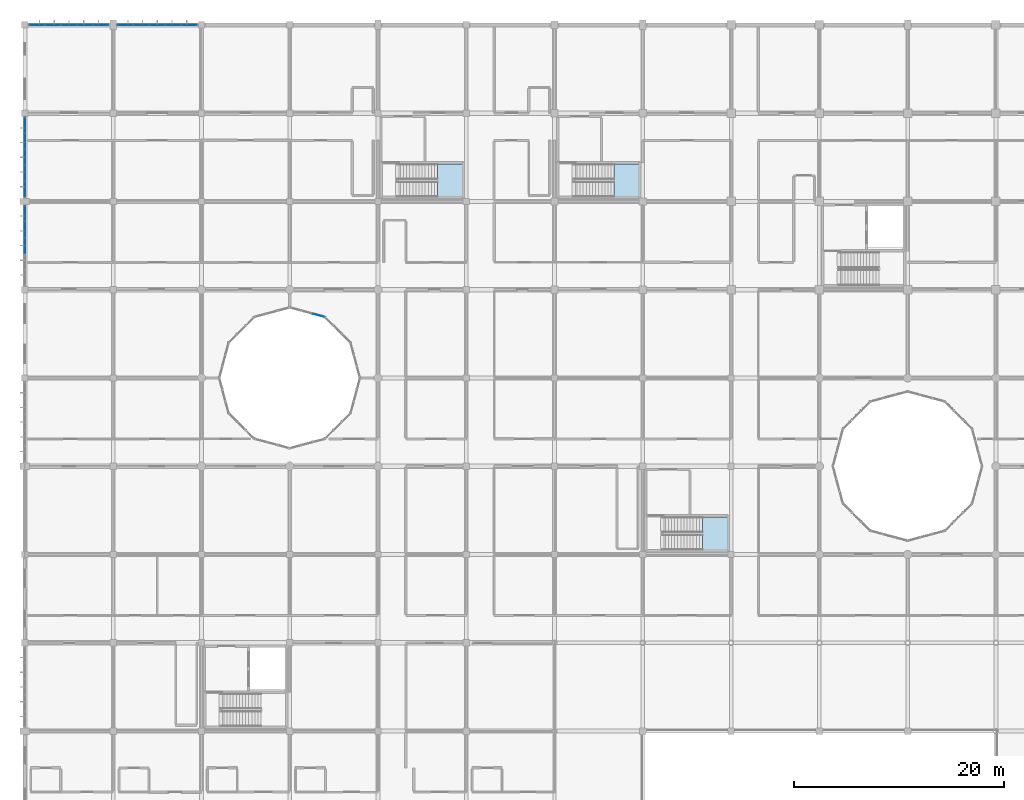
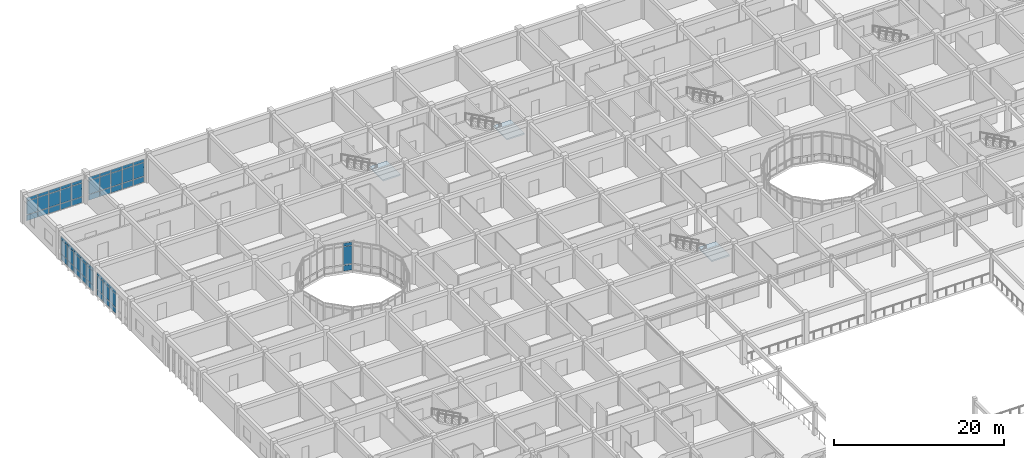
# One storey, part 80 of 144: 57 plates, 3 slabs, 8 elements without a shape of their own.
"""IFC4 building model written with IfcOpenShell, lengths in metres."""

from ifc_helpers import new_model, si_unit, direction, frame, origin, origin_2d, place, context, subcontext, project, spatial, polyline, rectangle, outline, extrude, material, layer, layer_set, type_object, element, aggregate, save


model = new_model("IFC4")

# Units and contexts
model_context = context("Model", 3, precision=1e-05, world=origin(), true_north=direction((0.0, 1.0)))
body_context = subcontext(model_context, "Body", "Model", "MODEL_VIEW")
ifc_project = project(units=[si_unit("LENGTHUNIT", "METRE"), si_unit("AREAUNIT", "SQUARE_METRE"), si_unit("VOLUMEUNIT", "CUBIC_METRE"), si_unit("PLANEANGLEUNIT", "RADIAN"), si_unit("MASSUNIT", "GRAM", prefix="KILO")], contexts=[model_context])

# Site, building, storey
site_placement = place(None, origin())
site = spatial("IfcSite", under=ifc_project, at=site_placement, CompositionType="ELEMENT")
building_placement = place(site_placement, origin())
building = spatial("IfcBuilding", under=site, at=building_placement, Name="Bramfleet General Hospital", CompositionType="ELEMENT")
storey_placement = place(building_placement, frame((0.0, 0.0, 4.800048828125)))
storey = spatial("IfcBuildingStorey", under=building, at=storey_placement, Name="L01", CompositionType="ELEMENT", Elevation=4.800048828125)

# Curtain wall, plates
ifc_material_1 = material(Name="Anodised aluminium and low-E triple glazing", Category="aluminium")
ifc_layer_1 = layer(ifc_material_1, 0.179931640625, Name="CWT-CW-09")
ifc_layer_set_1 = layer_set([ifc_layer_1], Name="Anodised aluminium and low-E triple glazing")
curtain_wall_type_1 = type_object("IfcCurtainWallType", Name="CWT-CW-09", PredefinedType="USERDEFINED", material=ifc_layer_set_1)
curtain_wall_1_placement = place(storey_placement, origin())
curtain_wall_1 = element("IfcCurtainWall", 1, at=curtain_wall_1_placement, inside=storey, type_object=curtain_wall_type_1, Name="L01 Curtain Wall 45", ObjectType="Unitised curtain wall", PredefinedType="USERDEFINED")
ifc_material_2 = material(Name="Low-E laminated safety glass", Category="glass")
ifc_layer_2 = layer(ifc_material_2, 0.028076171875, Name="CWP-GLZ-1")
ifc_layer_set_2 = layer_set([ifc_layer_2], Name="Low-E laminated safety glass")
plate_type_1 = type_object("IfcPlateType", Name="CWP-GLZ-1", PredefinedType="CURTAIN_PANEL", material=ifc_layer_set_2)
plate_1_placement = place(storey_placement, frame((1.157470703125, 117.60009765625, 0.06494140625), z_axis=(0.0, 0.0, 1.0), x_axis=(1.0, 0.0, 0.0)))
plate_1 = element("IfcPlate", 2, at=plate_1_placement, type_object=plate_type_1, Name="CW-09 panel 1.1", PredefinedType="CURTAIN_PANEL", context=body_context, shape_type="SweptSolid", body=[
    extrude(rectangle(XDim=1.425048828125, YDim=0.028076171875, at=origin_2d()), origin(), (0.0, 0.0, 1.0), 0.802490234375),
])
plate_2_placement = place(storey_placement, frame((1.157470703125, 117.60009765625, 0.9326171875), z_axis=(0.0, 0.0, 1.0), x_axis=(1.0, 0.0, 0.0)))
plate_2 = element("IfcPlate", 3, at=plate_2_placement, type_object=plate_type_1, Name="CW-09 panel 1.2", PredefinedType="CURTAIN_PANEL", context=body_context, shape_type="SweptSolid", body=[
    extrude(rectangle(XDim=1.425048828125, YDim=0.028076171875, at=origin_2d()), origin(), (0.0, 0.0, 1.0), 1.925048828125),
])
plate_3_placement = place(storey_placement, frame((1.157470703125, 117.60009765625, 2.92236328125), z_axis=(0.0, 0.0, 1.0), x_axis=(1.0, 0.0, 0.0)))
plate_3 = element("IfcPlate", 4, at=plate_3_placement, type_object=plate_type_1, Name="CW-09 panel 1.3", PredefinedType="CURTAIN_PANEL", context=body_context, shape_type="SweptSolid", body=[
    extrude(rectangle(XDim=1.425048828125, YDim=0.028076171875, at=origin_2d()), origin(), (0.0, 0.0, 1.0), 0.452392578125),
])
plate_4_placement = place(storey_placement, frame((2.669921875, 117.60009765625, 0.06494140625), z_axis=(0.0, 0.0, 1.0), x_axis=(1.0, 0.0, 0.0)))
plate_4 = element("IfcPlate", 5, at=plate_4_placement, type_object=plate_type_1, Name="CW-09 panel 2.1", PredefinedType="CURTAIN_PANEL", context=body_context, shape_type="SweptSolid", body=[
    extrude(rectangle(XDim=1.4599609375, YDim=0.028076171875, at=origin_2d()), origin(), (0.0, 0.0, 1.0), 0.802490234375),
])
plate_5_placement = place(storey_placement, frame((2.669921875, 117.60009765625, 0.9326171875), z_axis=(0.0, 0.0, 1.0), x_axis=(1.0, 0.0, 0.0)))
plate_5 = element("IfcPlate", 6, at=plate_5_placement, type_object=plate_type_1, Name="CW-09 panel 2.2", PredefinedType="CURTAIN_PANEL", context=body_context, shape_type="SweptSolid", body=[
    extrude(rectangle(XDim=1.4599609375, YDim=0.028076171875, at=origin_2d()), origin(), (0.0, 0.0, 1.0), 1.925048828125),
])
plate_6_placement = place(storey_placement, frame((2.669921875, 117.60009765625, 2.92236328125), z_axis=(0.0, 0.0, 1.0), x_axis=(1.0, 0.0, 0.0)))
plate_6 = element("IfcPlate", 7, at=plate_6_placement, type_object=plate_type_1, Name="CW-09 panel 2.3", PredefinedType="CURTAIN_PANEL", context=body_context, shape_type="SweptSolid", body=[
    extrude(rectangle(XDim=1.4599609375, YDim=0.028076171875, at=origin_2d()), origin(), (0.0, 0.0, 1.0), 0.452392578125),
])
plate_7_placement = place(storey_placement, frame((4.199951171875, 117.60009765625, 0.06494140625), z_axis=(0.0, 0.0, 1.0), x_axis=(1.0, 0.0, 0.0)))
plate_7 = element("IfcPlate", 8, at=plate_7_placement, type_object=plate_type_1, Name="CW-09 panel 3.1", PredefinedType="CURTAIN_PANEL", context=body_context, shape_type="SweptSolid", body=[
    extrude(rectangle(XDim=1.4599609375, YDim=0.028076171875, at=origin_2d()), origin(), (0.0, 0.0, 1.0), 0.802490234375),
])
plate_8_placement = place(storey_placement, frame((4.199951171875, 117.60009765625, 0.9326171875), z_axis=(0.0, 0.0, 1.0), x_axis=(1.0, 0.0, 0.0)))
plate_8 = element("IfcPlate", 9, at=plate_8_placement, type_object=plate_type_1, Name="CW-09 panel 3.2", PredefinedType="CURTAIN_PANEL", context=body_context, shape_type="SweptSolid", body=[
    extrude(rectangle(XDim=1.4599609375, YDim=0.028076171875, at=origin_2d()), origin(), (0.0, 0.0, 1.0), 1.925048828125),
])
plate_9_placement = place(storey_placement, frame((4.199951171875, 117.60009765625, 2.92236328125), z_axis=(0.0, 0.0, 1.0), x_axis=(1.0, 0.0, 0.0)))
plate_9 = element("IfcPlate", 10, at=plate_9_placement, type_object=plate_type_1, Name="CW-09 panel 3.3", PredefinedType="CURTAIN_PANEL", context=body_context, shape_type="SweptSolid", body=[
    extrude(rectangle(XDim=1.4599609375, YDim=0.028076171875, at=origin_2d()), origin(), (0.0, 0.0, 1.0), 0.452392578125),
])
plate_10_placement = place(storey_placement, frame((5.72998046875, 117.60009765625, 0.06494140625), z_axis=(0.0, 0.0, 1.0), x_axis=(1.0, 0.0, 0.0)))
plate_10 = element("IfcPlate", 11, at=plate_10_placement, type_object=plate_type_1, Name="CW-09 panel 4.1", PredefinedType="CURTAIN_PANEL", context=body_context, shape_type="SweptSolid", body=[
    extrude(rectangle(XDim=1.4599609375, YDim=0.028076171875, at=origin_2d()), origin(), (0.0, 0.0, 1.0), 0.802490234375),
])
plate_11_placement = place(storey_placement, frame((5.72998046875, 117.60009765625, 0.9326171875), z_axis=(0.0, 0.0, 1.0), x_axis=(1.0, 0.0, 0.0)))
plate_11 = element("IfcPlate", 12, at=plate_11_placement, type_object=plate_type_1, Name="CW-09 panel 4.2", PredefinedType="CURTAIN_PANEL", context=body_context, shape_type="SweptSolid", body=[
    extrude(rectangle(XDim=1.4599609375, YDim=0.028076171875, at=origin_2d()), origin(), (0.0, 0.0, 1.0), 1.925048828125),
])
plate_12_placement = place(storey_placement, frame((5.72998046875, 117.60009765625, 2.92236328125), z_axis=(0.0, 0.0, 1.0), x_axis=(1.0, 0.0, 0.0)))
plate_12 = element("IfcPlate", 13, at=plate_12_placement, type_object=plate_type_1, Name="CW-09 panel 4.3", PredefinedType="CURTAIN_PANEL", context=body_context, shape_type="SweptSolid", body=[
    extrude(rectangle(XDim=1.4599609375, YDim=0.028076171875, at=origin_2d()), origin(), (0.0, 0.0, 1.0), 0.452392578125),
])
plate_13_placement = place(storey_placement, frame((7.242431640625, 117.60009765625, 0.06494140625), z_axis=(0.0, 0.0, 1.0), x_axis=(1.0, 0.0, 0.0)))
plate_13 = element("IfcPlate", 14, at=plate_13_placement, type_object=plate_type_1, Name="CW-09 panel 5.1", PredefinedType="CURTAIN_PANEL", context=body_context, shape_type="SweptSolid", body=[
    extrude(rectangle(XDim=1.425048828125, YDim=0.028076171875, at=origin_2d()), origin(), (0.0, 0.0, 1.0), 0.802490234375),
])
plate_14_placement = place(storey_placement, frame((7.242431640625, 117.60009765625, 0.9326171875), z_axis=(0.0, 0.0, 1.0), x_axis=(1.0, 0.0, 0.0)))
plate_14 = element("IfcPlate", 15, at=plate_14_placement, type_object=plate_type_1, Name="CW-09 panel 5.2", PredefinedType="CURTAIN_PANEL", context=body_context, shape_type="SweptSolid", body=[
    extrude(rectangle(XDim=1.425048828125, YDim=0.028076171875, at=origin_2d()), origin(), (0.0, 0.0, 1.0), 1.925048828125),
])
plate_15_placement = place(storey_placement, frame((7.242431640625, 117.60009765625, 2.92236328125), z_axis=(0.0, 0.0, 1.0), x_axis=(1.0, 0.0, 0.0)))
plate_15 = element("IfcPlate", 16, at=plate_15_placement, type_object=plate_type_1, Name="CW-09 panel 5.3", PredefinedType="CURTAIN_PANEL", context=body_context, shape_type="SweptSolid", body=[
    extrude(rectangle(XDim=1.425048828125, YDim=0.028076171875, at=origin_2d()), origin(), (0.0, 0.0, 1.0), 0.452392578125),
])
aggregate(curtain_wall_1, [plate_1, plate_2, plate_3, plate_4, plate_5, plate_6, plate_7, plate_8, plate_9, plate_10, plate_11, plate_12, plate_13, plate_14, plate_15])

ifc_layer_3 = layer(ifc_material_1, 0.179931640625, Name="CWT-CW-10")
ifc_layer_set_3 = layer_set([ifc_layer_3], Name="Anodised aluminium and low-E triple glazing")
curtain_wall_type_2 = type_object("IfcCurtainWallType", Name="CWT-CW-10", PredefinedType="USERDEFINED", material=ifc_layer_set_3)
curtain_wall_2_placement = place(storey_placement, origin())
curtain_wall_2 = element("IfcCurtainWall", 17, at=curtain_wall_2_placement, inside=storey, type_object=curtain_wall_type_2, Name="L01 Curtain Wall 46", ObjectType="Stick curtain wall", PredefinedType="USERDEFINED")
ifc_layer_4 = layer(ifc_material_2, 0.031982421875, Name="CWP-GLZ-2")
ifc_layer_set_4 = layer_set([ifc_layer_4], Name="Low-E laminated safety glass")
plate_type_2 = type_object("IfcPlateType", Name="CWP-GLZ-2", PredefinedType="CURTAIN_PANEL", material=ifc_layer_set_4)
plate_16_placement = place(storey_placement, frame((9.5576171875, 117.60009765625, 0.06494140625), z_axis=(0.0, 0.0, 1.0), x_axis=(1.0, 0.0, 0.0)))
plate_16 = element("IfcPlate", 18, at=plate_16_placement, type_object=plate_type_2, Name="CW-10 panel 1.1", PredefinedType="CURTAIN_PANEL", context=body_context, shape_type="SweptSolid", body=[
    extrude(rectangle(XDim=1.425048828125, YDim=0.031982421875, at=origin_2d()), origin(), (0.0, 0.0, 1.0), 0.802490234375),
])
plate_17_placement = place(storey_placement, frame((9.5576171875, 117.60009765625, 0.9326171875), z_axis=(0.0, 0.0, 1.0), x_axis=(1.0, 0.0, 0.0)))
plate_17 = element("IfcPlate", 19, at=plate_17_placement, type_object=plate_type_2, Name="CW-10 panel 1.2", PredefinedType="CURTAIN_PANEL", context=body_context, shape_type="SweptSolid", body=[
    extrude(rectangle(XDim=1.425048828125, YDim=0.031982421875, at=origin_2d()), origin(), (0.0, 0.0, 1.0), 1.925048828125),
])
plate_18_placement = place(storey_placement, frame((9.5576171875, 117.60009765625, 2.92236328125), z_axis=(0.0, 0.0, 1.0), x_axis=(1.0, 0.0, 0.0)))
plate_18 = element("IfcPlate", 20, at=plate_18_placement, type_object=plate_type_2, Name="CW-10 panel 1.3", PredefinedType="CURTAIN_PANEL", context=body_context, shape_type="SweptSolid", body=[
    extrude(rectangle(XDim=1.425048828125, YDim=0.031982421875, at=origin_2d()), origin(), (0.0, 0.0, 1.0), 0.452392578125),
])
plate_19_placement = place(storey_placement, frame((11.070068359375, 117.60009765625, 0.06494140625), z_axis=(0.0, 0.0, 1.0), x_axis=(1.0, 0.0, 0.0)))
plate_19 = element("IfcPlate", 21, at=plate_19_placement, type_object=plate_type_2, Name="CW-10 panel 2.1", PredefinedType="CURTAIN_PANEL", context=body_context, shape_type="SweptSolid", body=[
    extrude(rectangle(XDim=1.4599609375, YDim=0.031982421875, at=origin_2d()), origin(), (0.0, 0.0, 1.0), 0.802490234375),
])
plate_20_placement = place(storey_placement, frame((11.070068359375, 117.60009765625, 0.9326171875), z_axis=(0.0, 0.0, 1.0), x_axis=(1.0, 0.0, 0.0)))
plate_20 = element("IfcPlate", 22, at=plate_20_placement, type_object=plate_type_2, Name="CW-10 panel 2.2", PredefinedType="CURTAIN_PANEL", context=body_context, shape_type="SweptSolid", body=[
    extrude(rectangle(XDim=1.4599609375, YDim=0.031982421875, at=origin_2d()), origin(), (0.0, 0.0, 1.0), 1.925048828125),
])
plate_21_placement = place(storey_placement, frame((11.070068359375, 117.60009765625, 2.92236328125), z_axis=(0.0, 0.0, 1.0), x_axis=(1.0, 0.0, 0.0)))
plate_21 = element("IfcPlate", 23, at=plate_21_placement, type_object=plate_type_2, Name="CW-10 panel 2.3", PredefinedType="CURTAIN_PANEL", context=body_context, shape_type="SweptSolid", body=[
    extrude(rectangle(XDim=1.4599609375, YDim=0.031982421875, at=origin_2d()), origin(), (0.0, 0.0, 1.0), 0.452392578125),
])
plate_22_placement = place(storey_placement, frame((12.60009765625, 117.60009765625, 0.06494140625), z_axis=(0.0, 0.0, 1.0), x_axis=(1.0, 0.0, 0.0)))
plate_22 = element("IfcPlate", 24, at=plate_22_placement, type_object=plate_type_2, Name="CW-10 panel 3.1", PredefinedType="CURTAIN_PANEL", context=body_context, shape_type="SweptSolid", body=[
    extrude(rectangle(XDim=1.4599609375, YDim=0.031982421875, at=origin_2d()), origin(), (0.0, 0.0, 1.0), 0.802490234375),
])
plate_23_placement = place(storey_placement, frame((12.60009765625, 117.60009765625, 0.9326171875), z_axis=(0.0, 0.0, 1.0), x_axis=(1.0, 0.0, 0.0)))
plate_23 = element("IfcPlate", 25, at=plate_23_placement, type_object=plate_type_2, Name="CW-10 panel 3.2", PredefinedType="CURTAIN_PANEL", context=body_context, shape_type="SweptSolid", body=[
    extrude(rectangle(XDim=1.4599609375, YDim=0.031982421875, at=origin_2d()), origin(), (0.0, 0.0, 1.0), 1.925048828125),
])
plate_24_placement = place(storey_placement, frame((12.60009765625, 117.60009765625, 2.92236328125), z_axis=(0.0, 0.0, 1.0), x_axis=(1.0, 0.0, 0.0)))
plate_24 = element("IfcPlate", 26, at=plate_24_placement, type_object=plate_type_2, Name="CW-10 panel 3.3", PredefinedType="CURTAIN_PANEL", context=body_context, shape_type="SweptSolid", body=[
    extrude(rectangle(XDim=1.4599609375, YDim=0.031982421875, at=origin_2d()), origin(), (0.0, 0.0, 1.0), 0.452392578125),
])
plate_25_placement = place(storey_placement, frame((14.1298828125, 117.60009765625, 0.06494140625), z_axis=(0.0, 0.0, 1.0), x_axis=(1.0, 0.0, 0.0)))
plate_25 = element("IfcPlate", 27, at=plate_25_placement, type_object=plate_type_2, Name="CW-10 panel 4.1", PredefinedType="CURTAIN_PANEL", context=body_context, shape_type="SweptSolid", body=[
    extrude(rectangle(XDim=1.4599609375, YDim=0.031982421875, at=origin_2d()), origin(), (0.0, 0.0, 1.0), 0.802490234375),
])
plate_26_placement = place(storey_placement, frame((14.1298828125, 117.60009765625, 0.9326171875), z_axis=(0.0, 0.0, 1.0), x_axis=(1.0, 0.0, 0.0)))
plate_26 = element("IfcPlate", 28, at=plate_26_placement, type_object=plate_type_2, Name="CW-10 panel 4.2", PredefinedType="CURTAIN_PANEL", context=body_context, shape_type="SweptSolid", body=[
    extrude(rectangle(XDim=1.4599609375, YDim=0.031982421875, at=origin_2d()), origin(), (0.0, 0.0, 1.0), 1.925048828125),
])
plate_27_placement = place(storey_placement, frame((14.1298828125, 117.60009765625, 2.92236328125), z_axis=(0.0, 0.0, 1.0), x_axis=(1.0, 0.0, 0.0)))
plate_27 = element("IfcPlate", 29, at=plate_27_placement, type_object=plate_type_2, Name="CW-10 panel 4.3", PredefinedType="CURTAIN_PANEL", context=body_context, shape_type="SweptSolid", body=[
    extrude(rectangle(XDim=1.4599609375, YDim=0.031982421875, at=origin_2d()), origin(), (0.0, 0.0, 1.0), 0.452392578125),
])
plate_28_placement = place(storey_placement, frame((15.642578125, 117.60009765625, 0.06494140625), z_axis=(0.0, 0.0, 1.0), x_axis=(1.0, 0.0, 0.0)))
plate_28 = element("IfcPlate", 30, at=plate_28_placement, type_object=plate_type_2, Name="CW-10 panel 5.1", PredefinedType="CURTAIN_PANEL", context=body_context, shape_type="SweptSolid", body=[
    extrude(rectangle(XDim=1.425048828125, YDim=0.031982421875, at=origin_2d()), origin(), (0.0, 0.0, 1.0), 0.802490234375),
])
plate_29_placement = place(storey_placement, frame((15.642578125, 117.60009765625, 0.9326171875), z_axis=(0.0, 0.0, 1.0), x_axis=(1.0, 0.0, 0.0)))
plate_29 = element("IfcPlate", 31, at=plate_29_placement, type_object=plate_type_2, Name="CW-10 panel 5.2", PredefinedType="CURTAIN_PANEL", context=body_context, shape_type="SweptSolid", body=[
    extrude(rectangle(XDim=1.425048828125, YDim=0.031982421875, at=origin_2d()), origin(), (0.0, 0.0, 1.0), 1.925048828125),
])
plate_30_placement = place(storey_placement, frame((15.642578125, 117.60009765625, 2.92236328125), z_axis=(0.0, 0.0, 1.0), x_axis=(1.0, 0.0, 0.0)))
plate_30 = element("IfcPlate", 32, at=plate_30_placement, type_object=plate_type_2, Name="CW-10 panel 5.3", PredefinedType="CURTAIN_PANEL", context=body_context, shape_type="SweptSolid", body=[
    extrude(rectangle(XDim=1.425048828125, YDim=0.031982421875, at=origin_2d()), origin(), (0.0, 0.0, 1.0), 0.452392578125),
])
aggregate(curtain_wall_2, [plate_16, plate_17, plate_18, plate_19, plate_20, plate_21, plate_22, plate_23, plate_24, plate_25, plate_26, plate_27, plate_28, plate_29, plate_30])

ifc_layer_5 = layer(ifc_material_1, 0.179931640625, Name="CWT-CW-17")
ifc_layer_set_5 = layer_set([ifc_layer_5], Name="Anodised aluminium and low-E triple glazing")
curtain_wall_type_3 = type_object("IfcCurtainWallType", Name="CWT-CW-17", PredefinedType="USERDEFINED", material=ifc_layer_set_5)
curtain_wall_3_placement = place(storey_placement, origin())
curtain_wall_3 = element("IfcCurtainWall", 33, at=curtain_wall_3_placement, inside=storey, type_object=curtain_wall_type_3, Name="L01 West Clinical Light Court Curtain Wall 9.1", ObjectType="Stick curtain wall", PredefinedType="USERDEFINED")
plate_31_placement = place(storey_placement, frame((27.974853515625, 89.956298828125, 0.06494140625), z_axis=(0.0, 0.0, 1.0), x_axis=(-0.965899136003, 0.25891863407, 0.0)))
plate_31 = element("IfcPlate", 34, at=plate_31_placement, type_object=plate_type_2, Name="CW-17 panel 1.1", PredefinedType="CURTAIN_PANEL", context=body_context, shape_type="SweptSolid", body=[
    extrude(rectangle(XDim=1.051025390625, YDim=0.031982421875, at=origin_2d()), origin(), (0.0, 0.0, 1.0), 0.802490234375),
])
plate_32_placement = place(storey_placement, frame((27.974853515625, 89.956298828125, 0.932373046875), z_axis=(0.0, 0.0, 1.0), x_axis=(-0.965899136003, 0.25891863407, 0.0)))
plate_32 = element("IfcPlate", 35, at=plate_32_placement, type_object=plate_type_2, Name="CW-17 panel 1.2", PredefinedType="CURTAIN_PANEL", context=body_context, shape_type="SweptSolid", body=[
    extrude(rectangle(XDim=1.051025390625, YDim=0.031982421875, at=origin_2d()), origin(), (0.0, 0.0, 1.0), 2.625),
])
plate_33_placement = place(storey_placement, frame((27.974853515625, 89.956298828125, 3.62255859375), z_axis=(0.0, 0.0, 1.0), x_axis=(-0.965899136003, 0.25891863407, 0.0)))
plate_33 = element("IfcPlate", 36, at=plate_33_placement, type_object=plate_type_2, Name="CW-17 panel 1.3", PredefinedType="CURTAIN_PANEL", context=body_context, shape_type="SweptSolid", body=[
    extrude(rectangle(XDim=1.051025390625, YDim=0.031982421875, at=origin_2d()), origin(), (0.0, 0.0, 1.0), 0.452392578125),
])
aggregate(curtain_wall_3, [plate_31, plate_32, plate_33])

ifc_layer_6 = layer(ifc_material_1, 0.179931640625, Name="CWT-CW-07")
ifc_layer_set_6 = layer_set([ifc_layer_6], Name="Anodised aluminium and low-E triple glazing")
curtain_wall_type_4 = type_object("IfcCurtainWallType", Name="CWT-CW-07", PredefinedType="USERDEFINED", material=ifc_layer_set_6)
curtain_wall_4_placement = place(storey_placement, origin())
curtain_wall_4 = element("IfcCurtainWall", 37, at=curtain_wall_4_placement, inside=storey, type_object=curtain_wall_type_4, Name="L01 Curtain Wall 43", ObjectType="Unitised curtain wall", PredefinedType="USERDEFINED")
ifc_layer_7 = layer(ifc_material_2, 0.035888671875, Name="CWP-GLZ-3")
ifc_layer_set_7 = layer_set([ifc_layer_7], Name="Low-E laminated safety glass")
plate_type_3 = type_object("IfcPlateType", Name="CWP-GLZ-3", PredefinedType="CURTAIN_PANEL", material=ifc_layer_set_7)
plate_34_placement = place(storey_placement, frame((0.0, 96.60009765625, 0.06494140625), z_axis=(0.0, 0.0, 1.0), x_axis=(0.0, 1.0, 0.0)))
plate_34 = element("IfcPlate", 38, at=plate_34_placement, type_object=plate_type_3, Name="CW-07 panel 3.1", PredefinedType="CURTAIN_PANEL", context=body_context, shape_type="SweptSolid", body=[
    extrude(rectangle(XDim=1.4599609375, YDim=0.035888671875, at=origin_2d()), origin(), (0.0, 0.0, 1.0), 0.802490234375),
])
plate_35_placement = place(storey_placement, frame((0.0, 96.60009765625, 0.9326171875), z_axis=(0.0, 0.0, 1.0), x_axis=(0.0, 1.0, 0.0)))
plate_35 = element("IfcPlate", 39, at=plate_35_placement, type_object=plate_type_3, Name="CW-07 panel 3.2", PredefinedType="CURTAIN_PANEL", context=body_context, shape_type="SweptSolid", body=[
    extrude(rectangle(XDim=1.4599609375, YDim=0.035888671875, at=origin_2d()), origin(), (0.0, 0.0, 1.0), 1.925048828125),
])
plate_36_placement = place(storey_placement, frame((0.0, 96.60009765625, 2.92236328125), z_axis=(0.0, 0.0, 1.0), x_axis=(0.0, 1.0, 0.0)))
plate_36 = element("IfcPlate", 40, at=plate_36_placement, type_object=plate_type_3, Name="CW-07 panel 3.3", PredefinedType="CURTAIN_PANEL", context=body_context, shape_type="SweptSolid", body=[
    extrude(rectangle(XDim=1.4599609375, YDim=0.035888671875, at=origin_2d()), origin(), (0.0, 0.0, 1.0), 0.452392578125),
])
plate_37_placement = place(storey_placement, frame((0.0, 98.1298828125, 0.06494140625), z_axis=(0.0, 0.0, 1.0), x_axis=(0.0, 1.0, 0.0)))
plate_37 = element("IfcPlate", 41, at=plate_37_placement, type_object=plate_type_3, Name="CW-07 panel 4.1", PredefinedType="CURTAIN_PANEL", context=body_context, shape_type="SweptSolid", body=[
    extrude(rectangle(XDim=1.4599609375, YDim=0.035888671875, at=origin_2d()), origin(), (0.0, 0.0, 1.0), 0.802490234375),
])
plate_38_placement = place(storey_placement, frame((0.0, 98.1298828125, 0.9326171875), z_axis=(0.0, 0.0, 1.0), x_axis=(0.0, 1.0, 0.0)))
plate_38 = element("IfcPlate", 42, at=plate_38_placement, type_object=plate_type_3, Name="CW-07 panel 4.2", PredefinedType="CURTAIN_PANEL", context=body_context, shape_type="SweptSolid", body=[
    extrude(rectangle(XDim=1.4599609375, YDim=0.035888671875, at=origin_2d()), origin(), (0.0, 0.0, 1.0), 1.925048828125),
])
plate_39_placement = place(storey_placement, frame((0.0, 98.1298828125, 2.92236328125), z_axis=(0.0, 0.0, 1.0), x_axis=(0.0, 1.0, 0.0)))
plate_39 = element("IfcPlate", 43, at=plate_39_placement, type_object=plate_type_3, Name="CW-07 panel 4.3", PredefinedType="CURTAIN_PANEL", context=body_context, shape_type="SweptSolid", body=[
    extrude(rectangle(XDim=1.4599609375, YDim=0.035888671875, at=origin_2d()), origin(), (0.0, 0.0, 1.0), 0.452392578125),
])
plate_40_placement = place(storey_placement, frame((0.0, 99.642578125, 0.06494140625), z_axis=(0.0, 0.0, 1.0), x_axis=(0.0, 1.0, 0.0)))
plate_40 = element("IfcPlate", 44, at=plate_40_placement, type_object=plate_type_3, Name="CW-07 panel 5.1", PredefinedType="CURTAIN_PANEL", context=body_context, shape_type="SweptSolid", body=[
    extrude(rectangle(XDim=1.425048828125, YDim=0.035888671875, at=origin_2d()), origin(), (0.0, 0.0, 1.0), 0.802490234375),
])
plate_41_placement = place(storey_placement, frame((0.0, 99.642578125, 0.9326171875), z_axis=(0.0, 0.0, 1.0), x_axis=(0.0, 1.0, 0.0)))
plate_41 = element("IfcPlate", 45, at=plate_41_placement, type_object=plate_type_3, Name="CW-07 panel 5.2", PredefinedType="CURTAIN_PANEL", context=body_context, shape_type="SweptSolid", body=[
    extrude(rectangle(XDim=1.425048828125, YDim=0.035888671875, at=origin_2d()), origin(), (0.0, 0.0, 1.0), 1.925048828125),
])
plate_42_placement = place(storey_placement, frame((0.0, 99.642578125, 2.92236328125), z_axis=(0.0, 0.0, 1.0), x_axis=(0.0, 1.0, 0.0)))
plate_42 = element("IfcPlate", 46, at=plate_42_placement, type_object=plate_type_3, Name="CW-07 panel 5.3", PredefinedType="CURTAIN_PANEL", context=body_context, shape_type="SweptSolid", body=[
    extrude(rectangle(XDim=1.425048828125, YDim=0.035888671875, at=origin_2d()), origin(), (0.0, 0.0, 1.0), 0.452392578125),
])
aggregate(curtain_wall_4, [plate_34, plate_35, plate_36, plate_37, plate_38, plate_39, plate_40, plate_41, plate_42])

ifc_layer_8 = layer(ifc_material_1, 0.179931640625, Name="CWT-CW-08")
ifc_layer_set_8 = layer_set([ifc_layer_8], Name="Anodised aluminium and low-E triple glazing")
curtain_wall_type_5 = type_object("IfcCurtainWallType", Name="CWT-CW-08", PredefinedType="USERDEFINED", material=ifc_layer_set_8)
curtain_wall_5_placement = place(storey_placement, origin())
curtain_wall_5 = element("IfcCurtainWall", 47, at=curtain_wall_5_placement, inside=storey, type_object=curtain_wall_type_5, Name="L01 Curtain Wall 44", ObjectType="Unitised curtain wall", PredefinedType="USERDEFINED")
ifc_layer_9 = layer(ifc_material_2, 0.0419921875, Name="CWP-GLZ-4")
ifc_layer_set_9 = layer_set([ifc_layer_9], Name="Low-E laminated safety glass")
plate_type_4 = type_object("IfcPlateType", Name="CWP-GLZ-4", PredefinedType="CURTAIN_PANEL", material=ifc_layer_set_9)
plate_43_placement = place(storey_placement, frame((0.0, 101.95751953125, 0.06494140625), z_axis=(0.0, 0.0, 1.0), x_axis=(0.0, 1.0, 0.0)))
plate_43 = element("IfcPlate", 48, at=plate_43_placement, type_object=plate_type_4, Name="CW-08 panel 1.1", PredefinedType="CURTAIN_PANEL", context=body_context, shape_type="SweptSolid", body=[
    extrude(rectangle(XDim=1.425048828125, YDim=0.0419921875, at=origin_2d()), origin(), (0.0, 0.0, 1.0), 0.802490234375),
])
plate_44_placement = place(storey_placement, frame((0.0, 101.95751953125, 0.9326171875), z_axis=(0.0, 0.0, 1.0), x_axis=(0.0, 1.0, 0.0)))
plate_44 = element("IfcPlate", 49, at=plate_44_placement, type_object=plate_type_4, Name="CW-08 panel 1.2", PredefinedType="CURTAIN_PANEL", context=body_context, shape_type="SweptSolid", body=[
    extrude(rectangle(XDim=1.425048828125, YDim=0.0419921875, at=origin_2d()), origin(), (0.0, 0.0, 1.0), 1.925048828125),
])
plate_45_placement = place(storey_placement, frame((0.0, 101.95751953125, 2.92236328125), z_axis=(0.0, 0.0, 1.0), x_axis=(0.0, 1.0, 0.0)))
plate_45 = element("IfcPlate", 50, at=plate_45_placement, type_object=plate_type_4, Name="CW-08 panel 1.3", PredefinedType="CURTAIN_PANEL", context=body_context, shape_type="SweptSolid", body=[
    extrude(rectangle(XDim=1.425048828125, YDim=0.0419921875, at=origin_2d()), origin(), (0.0, 0.0, 1.0), 0.452392578125),
])
plate_46_placement = place(storey_placement, frame((0.0, 103.469970703125, 0.06494140625), z_axis=(0.0, 0.0, 1.0), x_axis=(0.0, 1.0, 0.0)))
plate_46 = element("IfcPlate", 51, at=plate_46_placement, type_object=plate_type_4, Name="CW-08 panel 2.1", PredefinedType="CURTAIN_PANEL", context=body_context, shape_type="SweptSolid", body=[
    extrude(rectangle(XDim=1.4599609375, YDim=0.0419921875, at=origin_2d()), origin(), (0.0, 0.0, 1.0), 0.802490234375),
])
plate_47_placement = place(storey_placement, frame((0.0, 103.469970703125, 0.9326171875), z_axis=(0.0, 0.0, 1.0), x_axis=(0.0, 1.0, 0.0)))
plate_47 = element("IfcPlate", 52, at=plate_47_placement, type_object=plate_type_4, Name="CW-08 panel 2.2", PredefinedType="CURTAIN_PANEL", context=body_context, shape_type="SweptSolid", body=[
    extrude(rectangle(XDim=1.4599609375, YDim=0.0419921875, at=origin_2d()), origin(), (0.0, 0.0, 1.0), 1.925048828125),
])
plate_48_placement = place(storey_placement, frame((0.0, 103.469970703125, 2.92236328125), z_axis=(0.0, 0.0, 1.0), x_axis=(0.0, 1.0, 0.0)))
plate_48 = element("IfcPlate", 53, at=plate_48_placement, type_object=plate_type_4, Name="CW-08 panel 2.3", PredefinedType="CURTAIN_PANEL", context=body_context, shape_type="SweptSolid", body=[
    extrude(rectangle(XDim=1.4599609375, YDim=0.0419921875, at=origin_2d()), origin(), (0.0, 0.0, 1.0), 0.452392578125),
])
plate_49_placement = place(storey_placement, frame((0.0, 105.0, 0.06494140625), z_axis=(0.0, 0.0, 1.0), x_axis=(0.0, 1.0, 0.0)))
plate_49 = element("IfcPlate", 54, at=plate_49_placement, type_object=plate_type_4, Name="CW-08 panel 3.1", PredefinedType="CURTAIN_PANEL", context=body_context, shape_type="SweptSolid", body=[
    extrude(rectangle(XDim=1.4599609375, YDim=0.0419921875, at=origin_2d()), origin(), (0.0, 0.0, 1.0), 0.802490234375),
])
plate_50_placement = place(storey_placement, frame((0.0, 105.0, 0.9326171875), z_axis=(0.0, 0.0, 1.0), x_axis=(0.0, 1.0, 0.0)))
plate_50 = element("IfcPlate", 55, at=plate_50_placement, type_object=plate_type_4, Name="CW-08 panel 3.2", PredefinedType="CURTAIN_PANEL", context=body_context, shape_type="SweptSolid", body=[
    extrude(rectangle(XDim=1.4599609375, YDim=0.0419921875, at=origin_2d()), origin(), (0.0, 0.0, 1.0), 1.925048828125),
])
plate_51_placement = place(storey_placement, frame((0.0, 105.0, 2.92236328125), z_axis=(0.0, 0.0, 1.0), x_axis=(0.0, 1.0, 0.0)))
plate_51 = element("IfcPlate", 56, at=plate_51_placement, type_object=plate_type_4, Name="CW-08 panel 3.3", PredefinedType="CURTAIN_PANEL", context=body_context, shape_type="SweptSolid", body=[
    extrude(rectangle(XDim=1.4599609375, YDim=0.0419921875, at=origin_2d()), origin(), (0.0, 0.0, 1.0), 0.452392578125),
])
plate_52_placement = place(storey_placement, frame((0.0, 106.530029296875, 0.06494140625), z_axis=(0.0, 0.0, 1.0), x_axis=(0.0, 1.0, 0.0)))
plate_52 = element("IfcPlate", 57, at=plate_52_placement, type_object=plate_type_4, Name="CW-08 panel 4.1", PredefinedType="CURTAIN_PANEL", context=body_context, shape_type="SweptSolid", body=[
    extrude(rectangle(XDim=1.4599609375, YDim=0.0419921875, at=origin_2d()), origin(), (0.0, 0.0, 1.0), 0.802490234375),
])
plate_53_placement = place(storey_placement, frame((0.0, 106.530029296875, 0.9326171875), z_axis=(0.0, 0.0, 1.0), x_axis=(0.0, 1.0, 0.0)))
plate_53 = element("IfcPlate", 58, at=plate_53_placement, type_object=plate_type_4, Name="CW-08 panel 4.2", PredefinedType="CURTAIN_PANEL", context=body_context, shape_type="SweptSolid", body=[
    extrude(rectangle(XDim=1.4599609375, YDim=0.0419921875, at=origin_2d()), origin(), (0.0, 0.0, 1.0), 1.925048828125),
])
plate_54_placement = place(storey_placement, frame((0.0, 106.530029296875, 2.92236328125), z_axis=(0.0, 0.0, 1.0), x_axis=(0.0, 1.0, 0.0)))
plate_54 = element("IfcPlate", 59, at=plate_54_placement, type_object=plate_type_4, Name="CW-08 panel 4.3", PredefinedType="CURTAIN_PANEL", context=body_context, shape_type="SweptSolid", body=[
    extrude(rectangle(XDim=1.4599609375, YDim=0.0419921875, at=origin_2d()), origin(), (0.0, 0.0, 1.0), 0.452392578125),
])
plate_55_placement = place(storey_placement, frame((0.0, 108.04248046875, 0.06494140625), z_axis=(0.0, 0.0, 1.0), x_axis=(0.0, 1.0, 0.0)))
plate_55 = element("IfcPlate", 60, at=plate_55_placement, type_object=plate_type_4, Name="CW-08 panel 5.1", PredefinedType="CURTAIN_PANEL", context=body_context, shape_type="SweptSolid", body=[
    extrude(rectangle(XDim=1.425048828125, YDim=0.0419921875, at=origin_2d()), origin(), (0.0, 0.0, 1.0), 0.802490234375),
])
plate_56_placement = place(storey_placement, frame((0.0, 108.04248046875, 0.9326171875), z_axis=(0.0, 0.0, 1.0), x_axis=(0.0, 1.0, 0.0)))
plate_56 = element("IfcPlate", 61, at=plate_56_placement, type_object=plate_type_4, Name="CW-08 panel 5.2", PredefinedType="CURTAIN_PANEL", context=body_context, shape_type="SweptSolid", body=[
    extrude(rectangle(XDim=1.425048828125, YDim=0.0419921875, at=origin_2d()), origin(), (0.0, 0.0, 1.0), 1.925048828125),
])
plate_57_placement = place(storey_placement, frame((0.0, 108.04248046875, 2.92236328125), z_axis=(0.0, 0.0, 1.0), x_axis=(0.0, 1.0, 0.0)))
plate_57 = element("IfcPlate", 62, at=plate_57_placement, type_object=plate_type_4, Name="CW-08 panel 5.3", PredefinedType="CURTAIN_PANEL", context=body_context, shape_type="SweptSolid", body=[
    extrude(rectangle(XDim=1.425048828125, YDim=0.0419921875, at=origin_2d()), origin(), (0.0, 0.0, 1.0), 0.452392578125),
])
aggregate(curtain_wall_5, [plate_43, plate_44, plate_45, plate_46, plate_47, plate_48, plate_49, plate_50, plate_51, plate_52, plate_53, plate_54, plate_55, plate_56, plate_57])

# Stair, slab
ifc_material_3 = material(Name="Concrete C35/45", Category="concrete")
stair_type = type_object("IfcStairType", Name="STR-T2", PredefinedType="HALF_TURN_STAIR", material=ifc_material_3)
stair_1_placement = place(storey_placement, origin())
stair_1 = element("IfcStair", 63, at=stair_1_placement, inside=storey, type_object=stair_type, Name="L01 Core C8 (North-West Surgical Escape) Protected Escape Stair", PredefinedType="HALF_TURN_STAIR")
ifc_layer_10 = layer(ifc_material_3, 0.199951171875, Name="SL-LND-200")
ifc_layer_set_10 = layer_set([ifc_layer_10], Name="Concrete C35/45")
slab_type = type_object("IfcSlabType", Name="SL-LND-200", PredefinedType="LANDING", material=ifc_layer_set_10)
slab_1_placement = place(storey_placement, frame((0.0, 0.0, 2.050048828125)))
slab_1 = element("IfcSlab", 64, at=slab_1_placement, type_object=slab_type, Name="ST-C8 landing 1", PredefinedType="LANDING", context=body_context, shape_type="SweptSolid", body=[
    extrude(outline(polyline([(39.27490234375, 101.219970703125), (41.659912109375, 101.219970703125), (41.659912109375, 104.3798828125), (39.27490234375, 104.3798828125), (39.27490234375, 101.219970703125)])), origin(), (0.0, 0.0, 1.0), 0.199951171875),
])
aggregate(stair_1, [slab_1])

stair_2_placement = place(storey_placement, origin())
stair_2 = element("IfcStair", 65, at=stair_2_placement, inside=storey, type_object=stair_type, Name="L01 Core C13 (Central Diagnostic Base Escape) Protected Escape Stair", PredefinedType="HALF_TURN_STAIR")
slab_2_placement = place(storey_placement, frame((0.0, 0.0, 2.050048828125)))
slab_2 = element("IfcSlab", 66, at=slab_2_placement, type_object=slab_type, Name="ST-C13 landing 1", PredefinedType="LANDING", context=body_context, shape_type="SweptSolid", body=[
    extrude(outline(polyline([(64.47509765625, 67.6201171875), (66.860107421875, 67.6201171875), (66.860107421875, 70.780029296875), (64.47509765625, 70.780029296875), (64.47509765625, 67.6201171875)])), origin(), (0.0, 0.0, 1.0), 0.199951171875),
])
aggregate(stair_2, [slab_2])

stair_3_placement = place(storey_placement, origin())
stair_3 = element("IfcStair", 67, at=stair_3_placement, inside=storey, type_object=stair_type, Name="L01 Core C14 (West Ward Wing Escape) Protected Escape Stair", PredefinedType="HALF_TURN_STAIR")
slab_3_placement = place(storey_placement, frame((0.0, 0.0, 2.050048828125)))
slab_3 = element("IfcSlab", 68, at=slab_3_placement, type_object=slab_type, Name="ST-C14 landing 1", PredefinedType="LANDING", context=body_context, shape_type="SweptSolid", body=[
    extrude(outline(polyline([(56.074951171875, 101.219970703125), (58.4599609375, 101.219970703125), (58.4599609375, 104.3798828125), (56.074951171875, 104.3798828125), (56.074951171875, 101.219970703125)])), origin(), (0.0, 0.0, 1.0), 0.199951171875),
])
aggregate(stair_3, [slab_3])

save(model, "model.ifc")
